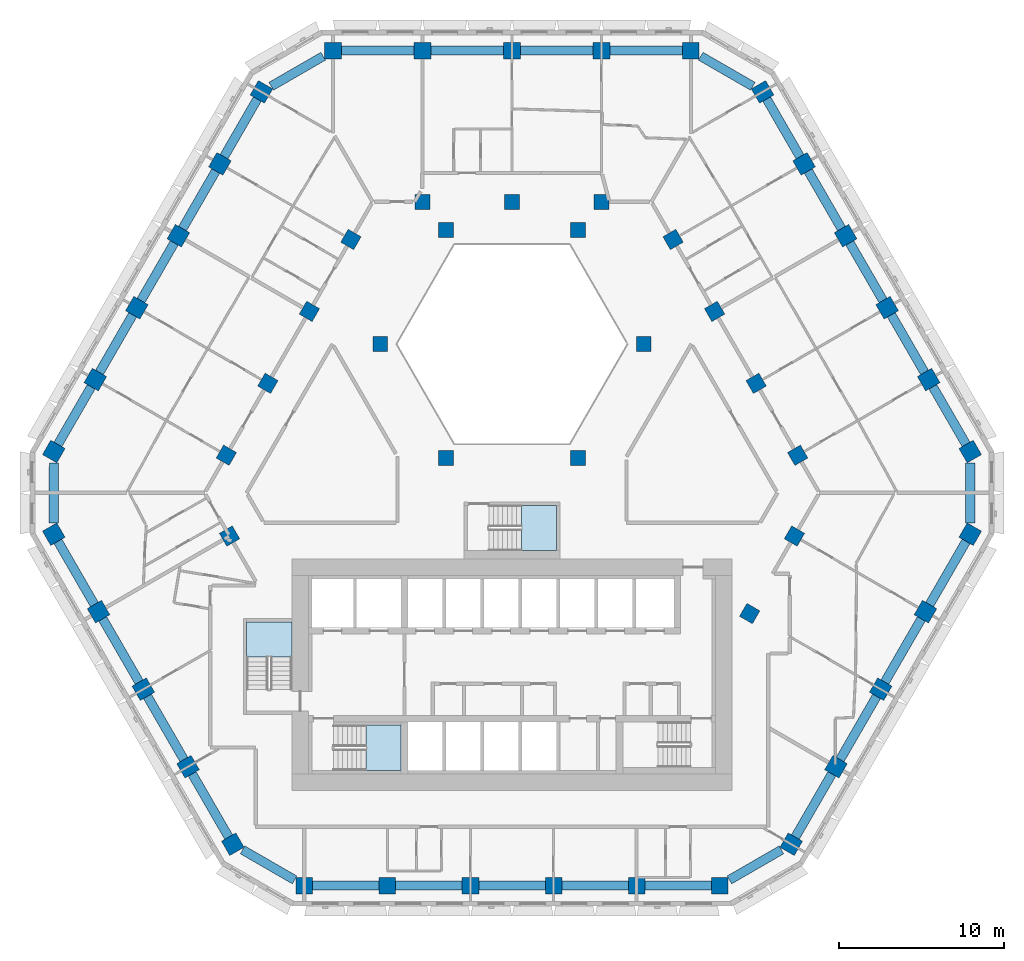
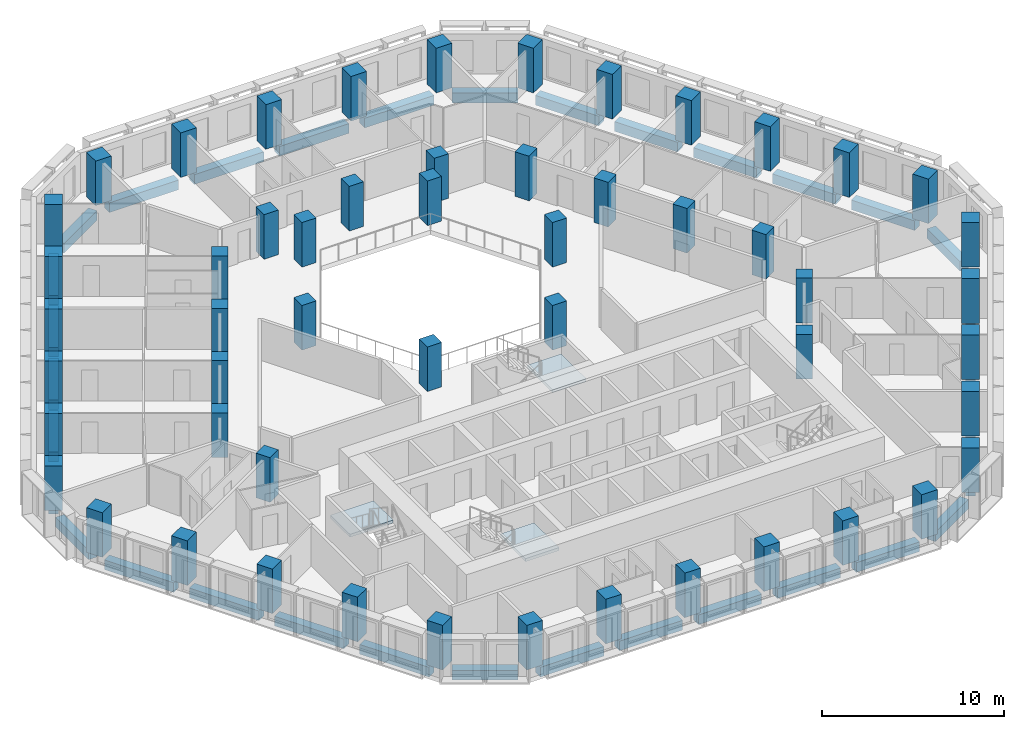
# One storey, part 1 of 18: 53 columns, 33 beams, 3 slabs, 3 elements without a shape of their own.
"""IFC4 building model written with IfcOpenShell, lengths in metres."""

from ifc_helpers import new_model, si_unit, direction, frame, origin, origin_2d, place, context, subcontext, project, spatial, polyline, rectangle, outline, extrude, material, layer, layer_set, material_profile, profile_set, type_object, element, aggregate, save


model = new_model("IFC4")

# Units and contexts
model_context = context("Model", 3, precision=1e-05, world=origin(), true_north=direction((0.0, 1.0)))
body_context = subcontext(model_context, "Body", "Model", "MODEL_VIEW")
ifc_project = project(units=[si_unit("LENGTHUNIT", "METRE"), si_unit("AREAUNIT", "SQUARE_METRE"), si_unit("VOLUMEUNIT", "CUBIC_METRE"), si_unit("PLANEANGLEUNIT", "RADIAN"), si_unit("MASSUNIT", "GRAM", prefix="KILO")], contexts=[model_context])

# Site, building, storey
site_placement = place(None, origin())
site = spatial("IfcSite", under=ifc_project, at=site_placement, CompositionType="ELEMENT")
building_placement = place(site_placement, origin())
building = spatial("IfcBuilding", under=site, at=building_placement, Name="Beryl Residences", CompositionType="ELEMENT")
storey_placement = place(building_placement, frame((0.0, 0.0, 93.0)))
storey = spatial("IfcBuildingStorey", under=building, at=storey_placement, Name="L28", CompositionType="ELEMENT", Elevation=93.0)

# Columns
ifc_material_1 = material(Name="Concrete C70/85", Category="concrete")
ifc_material_profile_1 = material_profile(ifc_material_1, rectangle(XDim=1.0, YDim=1.0, at=origin_2d()))
ifc_profile_set_1 = profile_set([ifc_material_profile_1], Name="Concrete C70/85")
column_type_1 = type_object("IfcColumnType", Name="C2 tube column 1000 x 1000 C70/85", PredefinedType="COLUMN", material=ifc_profile_set_1)
for number, where, z_axis, x_axis, name in (
    (1, (10.824951171875, 25.75, 0.0), (0.0, 0.0, 1.0), (-1.0, 0.0, 0.0), "C2-N1 L28"),
    (2, (5.412109375, 25.75, 0.0), (0.0, 0.0, 1.0), (-1.0, 0.0, 0.0), "C2-N2 L28"),
    (3, (-0.0009765625, 25.75, 0.0), (0.0, 0.0, 1.0), (-1.0, 0.0, 0.0), "C2-N3 L28"),
    (4, (-5.4140625, 25.75, 0.0), (0.0, 0.0, 1.0), (-1.0, 0.0, 0.0), "C2-N4 L28"),
    (5, (-10.826904296875, 25.75, 0.0), (0.0, 0.0, 1.0), (-1.0, 0.0, 0.0), "C2-N5 L28"),
    (6, (-15.155029296875, 23.2509765625, 0.0), (0.0, 0.0, 1.0), (-0.5, -0.866025403784, 0.0), "C2-NW1 L28"),
    (7, (-17.6669921875, 18.89990234375, 0.0), (0.0, 0.0, 1.0), (-0.5, -0.866025403784, 0.0), "C2-NW2 L28"),
    (8, (-20.177978515625, 14.550048828125, 0.0), (0.0, 0.0, 1.0), (-0.5, -0.866025403784, 0.0), "C2-NW3 L28"),
    (9, (-22.68994140625, 10.199951171875, 0.0), (0.0, 0.0, 1.0), (-0.5, -0.866025403784, 0.0), "C2-NW4 L28"),
    (10, (-25.201904296875, 5.85009765625, 0.0), (0.0, 0.0, 1.0), (-0.5, -0.866025403784, 0.0), "C2-NW5 L28"),
    (11, (-27.712890625, 1.5, 0.0), (0.0, 0.0, 1.0), (-0.5, -0.866025403784, 0.0), "C2-NW6 L28"),
    (12, (-27.714111328125, -3.4990234375, 0.0), (0.0, 0.0, 1.0), (0.5, -0.866025403784, 0.0), "C2-SW1 L28"),
    (13, (-25.007080078125, -8.18701171875, 0.0), (0.0, 0.0, 1.0), (0.5, -0.866025403784, 0.0), "C2-SW2 L28"),
    (14, (-22.300048828125, -12.875, 0.0), (0.0, 0.0, 1.0), (0.5, -0.866025403784, 0.0), "C2-SW3 L28"),
    (15, (-19.593994140625, -17.56298828125, 0.0), (0.0, 0.0, 1.0), (0.5, -0.866025403784, 0.0), "C2-SW4 L28"),
    (16, (-16.886962890625, -22.2509765625, 0.0), (0.0, 0.0, 1.0), (0.5, -0.866025403784, 0.0), "C2-SW5 L28"),
    (17, (-12.556884765625, -24.75, 0.0), (0.0, 0.0, 1.0), (1.0, 0.0, 0.0), "C2-S1 L28"),
    (18, (-7.533935546875, -24.75, 0.0), (0.0, 0.0, 1.0), (1.0, 0.0, 0.0), "C2-S2 L28"),
    (19, (-2.510986328125, -24.75, 0.0), (0.0, 0.0, 1.0), (1.0, 0.0, 0.0), "C2-S3 L28"),
    (20, (2.511962890625, -24.75, 0.0), (0.0, 0.0, 1.0), (1.0, 0.0, 0.0), "C2-S4 L28"),
    (21, (7.534912109375, -24.75, 0.0), (0.0, 0.0, 1.0), (1.0, 0.0, 0.0), "C2-S5 L28"),
    (22, (12.55810546875, -24.75, 0.0), (0.0, 0.0, 1.0), (1.0, 0.0, 0.0), "C2-S6 L28"),
    (23, (16.886962890625, -22.2509765625, 0.0), (0.0, 0.0, 1.0), (0.5, 0.866025403784, 0.0), "C2-SE1 L28"),
    (24, (19.593994140625, -17.56298828125, 0.0), (0.0, 0.0, 1.0), (0.5, 0.866025403784, 0.0), "C2-SE2 L28"),
    (25, (22.300048828125, -12.875, 0.0), (0.0, 0.0, 1.0), (0.5, 0.866025403784, 0.0), "C2-SE3 L28"),
    (26, (25.007080078125, -8.18701171875, 0.0), (0.0, 0.0, 1.0), (0.5, 0.866025403784, 0.0), "C2-SE4 L28"),
    (27, (27.714111328125, -3.4990234375, 0.0), (0.0, 0.0, 1.0), (0.5, 0.866025403784, 0.0), "C2-SE5 L28"),
    (28, (27.714111328125, 1.4990234375, 0.0), (0.0, 0.0, 1.0), (-0.5, 0.866025403784, 0.0), "C2-NE1 L28"),
    (29, (25.201904296875, 5.85009765625, 0.0), (0.0, 0.0, 1.0), (-0.5, 0.866025403784, 0.0), "C2-NE2 L28"),
    (30, (22.68994140625, 10.199951171875, 0.0), (0.0, 0.0, 1.0), (-0.5, 0.866025403784, 0.0), "C2-NE3 L28"),
    (31, (20.178955078125, 14.550048828125, 0.0), (0.0, 0.0, 1.0), (-0.5, 0.866025403784, 0.0), "C2-NE4 L28"),
    (32, (17.6669921875, 18.89990234375, 0.0), (0.0, 0.0, 1.0), (-0.5, 0.866025403784, 0.0), "C2-NE5 L28"),
    (33, (15.156005859375, 23.25, 0.0), (0.0, 0.0, 1.0), (-0.5, 0.866025403784, 0.0), "C2-NE6 L28"),
):
    element("IfcColumn", number, at=place(storey_placement, frame(where, z_axis=z_axis, x_axis=x_axis)), inside=storey, type_object=column_type_1, Name=name, PredefinedType="COLUMN", context=body_context, shape_type="SweptSolid", body=[
        extrude(rectangle(XDim=1.0, YDim=1.0, at=origin_2d()), origin(), (0.0, 0.0, 1.0), 3.0),
    ])
ifc_material_2 = material(Name="Concrete C70/85", Category="concrete")
ifc_material_profile_2 = material_profile(ifc_material_2, rectangle(XDim=0.89990234375, YDim=0.89990234375, at=origin_2d()))
ifc_profile_set_2 = profile_set([ifc_material_profile_2], Name="Concrete C70/85")
column_type_2 = type_object("IfcColumnType", Name="IC2 interior column 900 x 900 C70/85", PredefinedType="COLUMN", material=ifc_profile_set_2)
for number, where, z_axis, x_axis, name in (
    (34, (-17.0830078125, -3.612060546875, 0.0), (0.0, 0.0, 1.0), (0.5, -0.866025403784, 0.0), "IC2-M01 L28"),
    (35, (14.3759765625, -8.300048828125, 0.0), (0.0, 0.0, 1.0), (0.5, 0.866025403784, 0.0), "IC2-M02 L28"),
    (36, (17.0830078125, -3.612060546875, 0.0), (0.0, 0.0, 1.0), (0.5, 0.866025403784, 0.0), "IC2-M03 L28"),
    (37, (17.278076171875, 1.27392578125, 0.0), (0.0, 0.0, 1.0), (-0.5, 0.866025403784, 0.0), "IC2-M04 L28"),
    (38, (3.98388671875, 1.10009765625, 0.0), (0.0, 0.0, 1.0), (1.0, 0.0, 0.0), "IC2-A05 L28"),
    (39, (14.76611328125, 5.625, 0.0), (0.0, 0.0, 1.0), (-0.5, 0.866025403784, 0.0), "IC2-M06 L28"),
    (40, (12.2548828125, 9.97509765625, 0.0), (0.0, 0.0, 1.0), (-0.5, 0.866025403784, 0.0), "IC2-M07 L28"),
    (41, (7.967041015625, 8.0, 0.0), (0.0, 0.0, 1.0), (1.0, 0.0, 0.0), "IC2-A08 L28"),
    (42, (9.742919921875, 14.324951171875, 0.0), (0.0, 0.0, 1.0), (-0.5, 0.866025403784, 0.0), "IC2-M09 L28"),
    (43, (5.412109375, 16.60009765625, 0.0), (0.0, 0.0, 1.0), (-1.0, 0.0, 0.0), "IC2-M10 L28"),
    (44, (3.98388671875, 14.89990234375, 0.0), (0.0, 0.0, 1.0), (1.0, 0.0, 0.0), "IC2-A11 L28"),
    (45, (-0.0009765625, 16.60009765625, 0.0), (0.0, 0.0, 1.0), (-1.0, 0.0, 0.0), "IC2-M12 L28"),
    (46, (-3.98388671875, 14.89990234375, 0.0), (0.0, 0.0, 1.0), (1.0, 0.0, 0.0), "IC2-A13 L28"),
    (47, (-5.4140625, 16.60009765625, 0.0), (0.0, 0.0, 1.0), (-1.0, 0.0, 0.0), "IC2-M14 L28"),
    (48, (-9.742919921875, 14.324951171875, 0.0), (0.0, 0.0, 1.0), (-0.5, -0.866025403784, 0.0), "IC2-M15 L28"),
    (49, (-7.967041015625, 8.0, 0.0), (0.0, 0.0, 1.0), (1.0, 0.0, 0.0), "IC2-A16 L28"),
    (50, (-12.25390625, 9.97509765625, 0.0), (0.0, 0.0, 1.0), (-0.5, -0.866025403784, 0.0), "IC2-M17 L28"),
    (51, (-14.76611328125, 5.625, 0.0), (0.0, 0.0, 1.0), (-0.5, -0.866025403784, 0.0), "IC2-M18 L28"),
    (52, (-3.98388671875, 1.10009765625, 0.0), (0.0, 0.0, 1.0), (1.0, 0.0, 0.0), "IC2-A19 L28"),
    (53, (-17.277099609375, 1.27490234375, 0.0), (0.0, 0.0, 1.0), (-0.5, -0.866025403784, 0.0), "IC2-M20 L28"),
):
    element("IfcColumn", number, at=place(storey_placement, frame(where, z_axis=z_axis, x_axis=x_axis)), inside=storey, type_object=column_type_2, Name=name, PredefinedType="COLUMN", context=body_context, shape_type="SweptSolid", body=[
        extrude(rectangle(XDim=0.89990234375, YDim=0.89990234375, at=origin_2d()), origin(), (0.0, 0.0, 1.0), 3.0),
    ])

# Beams
ifc_material_3 = material(Name="Concrete C70/85", Category="concrete")
ifc_material_profile_3 = material_profile(ifc_material_3, rectangle(XDim=0.550048828125, YDim=0.64990234375, at=origin_2d()))
ifc_profile_set_3 = profile_set([ifc_material_profile_3], Name="Concrete C70/85")
beam_type = type_object("IfcBeamType", Name="SB2 spandrel beam 550 x 650 C70/85", PredefinedType="SPANDREL", material=ifc_profile_set_3)
beam_1_placement = place(storey_placement, frame((10.324951171875, 25.75, -0.625), z_axis=(-1.0, 0.0, 0.0), x_axis=(0.0, -1.0, 0.0)))
element("IfcBeam", 54, at=beam_1_placement, inside=storey, type_object=beam_type, Name="SB2 L28 N-0", PredefinedType="SPANDREL", context=body_context, shape_type="SweptSolid", body=[
    extrude(rectangle(XDim=0.550048828125, YDim=0.64990234375, at=origin_2d()), origin(), (0.0, 0.0, 1.0), 4.412841796875),
])
for number, where, z_axis, x_axis, name in (
    (55, (4.912109375, 25.75, -0.625), (-1.0, 0.0, 0.0), (0.0, -1.0, 0.0), "SB2 L28 N-1"),
    (56, (-0.5009765625, 25.75, -0.625), (-1.0, 0.0, 0.0), (0.0, -1.0, 0.0), "SB2 L28 N-2"),
):
    element("IfcBeam", number, at=place(storey_placement, frame(where, z_axis=z_axis, x_axis=x_axis)), inside=storey, type_object=beam_type, Name=name, PredefinedType="SPANDREL", context=body_context, shape_type="SweptSolid", body=[
        extrude(rectangle(XDim=0.550048828125, YDim=0.64990234375, at=origin_2d()), origin(), (0.0, 0.0, 1.0), 4.4130859375),
    ])
beam_2_placement = place(storey_placement, frame((-5.9140625, 25.75, -0.625), z_axis=(-1.0, 0.0, 0.0), x_axis=(0.0, -1.0, 0.0)))
element("IfcBeam", 57, at=beam_2_placement, inside=storey, type_object=beam_type, Name="SB2 L28 N-3", PredefinedType="SPANDREL", context=body_context, shape_type="SweptSolid", body=[
    extrude(rectangle(XDim=0.550048828125, YDim=0.64990234375, at=origin_2d()), origin(), (0.0, 0.0, 1.0), 4.412841796875),
])
beam_3_placement = place(storey_placement, frame((-11.41796875, 25.408935546875, -0.625), z_axis=(-0.865959503272, -0.500114125668, 0.0), x_axis=(0.500114125668, -0.865959503272, 0.0)))
element("IfcBeam", 58, at=beam_3_placement, inside=storey, type_object=beam_type, Name="SB2 L28 N-4", PredefinedType="SPANDREL", context=body_context, shape_type="SweptSolid", body=[
    extrude(rectangle(XDim=0.550048828125, YDim=0.64990234375, at=origin_2d()), origin(), (0.0, 0.0, 1.0), 3.633056640625),
])
beam_4_placement = place(storey_placement, frame((-15.405029296875, 22.818115234375, -0.625), z_axis=(-0.49996928203, -0.866043138087, 0.0), x_axis=(0.866043138087, -0.49996928203, 0.0)))
element("IfcBeam", 59, at=beam_4_placement, inside=storey, type_object=beam_type, Name="SB2 L28 NW-0", PredefinedType="SPANDREL", context=body_context, shape_type="SweptSolid", body=[
    extrude(rectangle(XDim=0.550048828125, YDim=0.64990234375, at=origin_2d()), origin(), (0.0, 0.0, 1.0), 4.024169921875),
])
beam_5_placement = place(storey_placement, frame((-17.9169921875, 18.467041015625, -0.625), z_axis=(-0.499892318183, -0.866087564985, 0.0), x_axis=(0.866087564985, -0.499892318183, 0.0)))
element("IfcBeam", 60, at=beam_5_placement, inside=storey, type_object=beam_type, Name="SB2 L28 NW-1", PredefinedType="SPANDREL", context=body_context, shape_type="SweptSolid", body=[
    extrude(rectangle(XDim=0.550048828125, YDim=0.64990234375, at=origin_2d()), origin(), (0.0, 0.0, 1.0), 4.02294921875),
])
beam_6_placement = place(storey_placement, frame((-20.427978515625, 14.116943359375, -0.625), z_axis=(-0.500100656611, -0.865967281863, 0.0), x_axis=(0.865967281863, -0.500100656611, 0.0)))
element("IfcBeam", 61, at=beam_6_placement, inside=storey, type_object=beam_type, Name="SB2 L28 NW-2", PredefinedType="SPANDREL", context=body_context, shape_type="SweptSolid", body=[
    extrude(rectangle(XDim=0.550048828125, YDim=0.64990234375, at=origin_2d()), origin(), (0.0, 0.0, 1.0), 4.023193359375),
])
beam_7_placement = place(storey_placement, frame((-22.93994140625, 9.76708984375, -0.625), z_axis=(-0.500074377092, -0.865982457891, 0.0), x_axis=(0.865982457891, -0.500074377092, 0.0)))
element("IfcBeam", 62, at=beam_7_placement, inside=storey, type_object=beam_type, Name="SB2 L28 NW-3", PredefinedType="SPANDREL", context=body_context, shape_type="SweptSolid", body=[
    extrude(rectangle(XDim=0.550048828125, YDim=0.64990234375, at=origin_2d()), origin(), (0.0, 0.0, 1.0), 4.0234375),
])
beam_8_placement = place(storey_placement, frame((-25.451904296875, 5.4169921875, -0.625), z_axis=(-0.499918594511, -0.866072398164, 0.0), x_axis=(0.866072398164, -0.499918594511, 0.0)))
element("IfcBeam", 63, at=beam_8_placement, inside=storey, type_object=beam_type, Name="SB2 L28 NW-4", PredefinedType="SPANDREL", context=body_context, shape_type="SweptSolid", body=[
    extrude(rectangle(XDim=0.550048828125, YDim=0.64990234375, at=origin_2d()), origin(), (0.0, 0.0, 1.0), 4.022705078125),
])
beam_9_placement = place(storey_placement, frame((-27.712890625, 0.81689453125, -0.625), z_axis=(-0.000336021486, -0.999999943545, 0.0), x_axis=(0.999999943545, -0.000336021486, 0.0)))
element("IfcBeam", 64, at=beam_9_placement, inside=storey, type_object=beam_type, Name="SB2 L28 NW-5", PredefinedType="SPANDREL", context=body_context, shape_type="SweptSolid", body=[
    extrude(rectangle(XDim=0.550048828125, YDim=0.64990234375, at=origin_2d()), origin(), (0.0, 0.0, 1.0), 3.6328125),
])
beam_10_placement = place(storey_placement, frame((-27.464111328125, -3.931884765625, -0.625), z_axis=(0.50006561292, -0.865987518834, 0.0), x_axis=(0.865987518834, 0.50006561292, 0.0)))
element("IfcBeam", 65, at=beam_10_placement, inside=storey, type_object=beam_type, Name="SB2 L28 SW-0", PredefinedType="SPANDREL", context=body_context, shape_type="SweptSolid", body=[
    extrude(rectangle(XDim=0.550048828125, YDim=0.64990234375, at=origin_2d()), origin(), (0.0, 0.0, 1.0), 4.41357421875),
])
beam_11_placement = place(storey_placement, frame((-24.757080078125, -8.6201171875, -0.625), z_axis=(0.500089568931, -0.865973684962, 0.0), x_axis=(0.865973684962, 0.500089568931, 0.0)))
element("IfcBeam", 66, at=beam_11_placement, inside=storey, type_object=beam_type, Name="SB2 L28 SW-1", PredefinedType="SPANDREL", context=body_context, shape_type="SweptSolid", body=[
    extrude(rectangle(XDim=0.550048828125, YDim=0.64990234375, at=origin_2d()), origin(), (0.0, 0.0, 1.0), 4.413330078125),
])
beam_12_placement = place(storey_placement, frame((-22.050048828125, -13.30810546875, -0.625), z_axis=(0.49992360228, -0.866069507536, 0.0), x_axis=(0.866069507536, 0.49992360228, 0.0)))
element("IfcBeam", 67, at=beam_12_placement, inside=storey, type_object=beam_type, Name="SB2 L28 SW-2", PredefinedType="SPANDREL", context=body_context, shape_type="SweptSolid", body=[
    extrude(rectangle(XDim=0.550048828125, YDim=0.64990234375, at=origin_2d()), origin(), (0.0, 0.0, 1.0), 4.412841796875),
])
beam_13_placement = place(storey_placement, frame((-19.343994140625, -17.99609375, -0.625), z_axis=(0.50006561292, -0.865987518834, 0.0), x_axis=(0.865987518834, 0.50006561292, 0.0)))
element("IfcBeam", 68, at=beam_13_placement, inside=storey, type_object=beam_type, Name="SB2 L28 SW-3", PredefinedType="SPANDREL", context=body_context, shape_type="SweptSolid", body=[
    extrude(rectangle(XDim=0.550048828125, YDim=0.64990234375, at=origin_2d()), origin(), (0.0, 0.0, 1.0), 4.41357421875),
])
beam_14_placement = place(storey_placement, frame((-16.2958984375, -22.592041015625, -0.625), z_axis=(0.866093873939, -0.499881387456, 0.0), x_axis=(0.499881387456, 0.866093873939, 0.0)))
element("IfcBeam", 69, at=beam_14_placement, inside=storey, type_object=beam_type, Name="SB2 L28 SW-4", PredefinedType="SPANDREL", context=body_context, shape_type="SweptSolid", body=[
    extrude(rectangle(XDim=0.550048828125, YDim=0.64990234375, at=origin_2d()), origin(), (0.0, 0.0, 1.0), 3.634765625),
])
for number, where, z_axis, x_axis, name in (
    (70, (-12.056884765625, -24.75, -0.625), (1.0, 0.0, 0.0), (0.0, 1.0, 0.0), "SB2 L28 S-0"),
    (71, (-7.033935546875, -24.75, -0.625), (1.0, 0.0, 0.0), (0.0, 1.0, 0.0), "SB2 L28 S-1"),
    (72, (-2.010986328125, -24.75, -0.625), (1.0, 0.0, 0.0), (0.0, 1.0, 0.0), "SB2 L28 S-2"),
    (73, (3.011962890625, -24.75, -0.625), (1.0, 0.0, 0.0), (0.0, 1.0, 0.0), "SB2 L28 S-3"),
):
    element("IfcBeam", number, at=place(storey_placement, frame(where, z_axis=z_axis, x_axis=x_axis)), inside=storey, type_object=beam_type, Name=name, PredefinedType="SPANDREL", context=body_context, shape_type="SweptSolid", body=[
        extrude(rectangle(XDim=0.550048828125, YDim=0.64990234375, at=origin_2d()), origin(), (0.0, 0.0, 1.0), 4.02294921875),
    ])
beam_15_placement = place(storey_placement, frame((8.034912109375, -24.75, -0.625), z_axis=(1.0, 0.0, 0.0), x_axis=(0.0, 1.0, 0.0)))
element("IfcBeam", 74, at=beam_15_placement, inside=storey, type_object=beam_type, Name="SB2 L28 S-4", PredefinedType="SPANDREL", context=body_context, shape_type="SweptSolid", body=[
    extrude(rectangle(XDim=0.550048828125, YDim=0.64990234375, at=origin_2d()), origin(), (0.0, 0.0, 1.0), 4.023193359375),
])
beam_16_placement = place(storey_placement, frame((13.14892578125, -24.408935546875, -0.625), z_axis=(0.866026712061, 0.499997733992, 0.0), x_axis=(-0.499997733992, 0.866026712061, 0.0)))
element("IfcBeam", 75, at=beam_16_placement, inside=storey, type_object=beam_type, Name="SB2 L28 S-5", PredefinedType="SPANDREL", context=body_context, shape_type="SweptSolid", body=[
    extrude(rectangle(XDim=0.550048828125, YDim=0.64990234375, at=origin_2d()), origin(), (0.0, 0.0, 1.0), 3.6337890625),
])
beam_17_placement = place(storey_placement, frame((17.136962890625, -21.818115234375, -0.625), z_axis=(0.50006561292, 0.865987518834, 0.0), x_axis=(-0.865987518834, 0.50006561292, 0.0)))
element("IfcBeam", 76, at=beam_17_placement, inside=storey, type_object=beam_type, Name="SB2 L28 SE-0", PredefinedType="SPANDREL", context=body_context, shape_type="SweptSolid", body=[
    extrude(rectangle(XDim=0.550048828125, YDim=0.64990234375, at=origin_2d()), origin(), (0.0, 0.0, 1.0), 4.41357421875),
])
beam_18_placement = place(storey_placement, frame((19.843994140625, -17.1298828125, -0.625), z_axis=(0.49992360228, 0.866069507536, 0.0), x_axis=(-0.866069507536, 0.49992360228, 0.0)))
element("IfcBeam", 77, at=beam_18_placement, inside=storey, type_object=beam_type, Name="SB2 L28 SE-1", PredefinedType="SPANDREL", context=body_context, shape_type="SweptSolid", body=[
    extrude(rectangle(XDim=0.550048828125, YDim=0.64990234375, at=origin_2d()), origin(), (0.0, 0.0, 1.0), 4.412841796875),
])
beam_19_placement = place(storey_placement, frame((22.550048828125, -12.44189453125, -0.625), z_axis=(0.500089568931, 0.865973684962, 0.0), x_axis=(-0.865973684962, 0.500089568931, 0.0)))
element("IfcBeam", 78, at=beam_19_placement, inside=storey, type_object=beam_type, Name="SB2 L28 SE-2", PredefinedType="SPANDREL", context=body_context, shape_type="SweptSolid", body=[
    extrude(rectangle(XDim=0.550048828125, YDim=0.64990234375, at=origin_2d()), origin(), (0.0, 0.0, 1.0), 4.413330078125),
])
beam_20_placement = place(storey_placement, frame((25.257080078125, -7.75390625, -0.625), z_axis=(0.50006561292, 0.865987518834, 0.0), x_axis=(-0.865987518834, 0.50006561292, 0.0)))
element("IfcBeam", 79, at=beam_20_placement, inside=storey, type_object=beam_type, Name="SB2 L28 SE-3", PredefinedType="SPANDREL", context=body_context, shape_type="SweptSolid", body=[
    extrude(rectangle(XDim=0.550048828125, YDim=0.64990234375, at=origin_2d()), origin(), (0.0, 0.0, 1.0), 4.41357421875),
])
beam_21_placement = place(storey_placement, frame((27.714111328125, -2.81591796875, -0.625), z_axis=(0.0, 1.0, 0.0), x_axis=(-1.0, 0.0, 0.0)))
element("IfcBeam", 80, at=beam_21_placement, inside=storey, type_object=beam_type, Name="SB2 L28 SE-4", PredefinedType="SPANDREL", context=body_context, shape_type="SweptSolid", body=[
    extrude(rectangle(XDim=0.550048828125, YDim=0.64990234375, at=origin_2d()), origin(), (0.0, 0.0, 1.0), 3.6318359375),
])
beam_22_placement = place(storey_placement, frame((27.464111328125, 1.931884765625, -0.625), z_axis=(-0.500014783214, 0.866016868524, 0.0), x_axis=(-0.866016868524, -0.500014783214, 0.0)))
element("IfcBeam", 81, at=beam_22_placement, inside=storey, type_object=beam_type, Name="SB2 L28 NE-0", PredefinedType="SPANDREL", context=body_context, shape_type="SweptSolid", body=[
    extrude(rectangle(XDim=0.550048828125, YDim=0.64990234375, at=origin_2d()), origin(), (0.0, 0.0, 1.0), 4.0244140625),
])
beam_23_placement = place(storey_placement, frame((24.951904296875, 6.282958984375, -0.625), z_axis=(-0.500074377092, 0.865982457891, 0.0), x_axis=(-0.865982457891, -0.500074377092, 0.0)))
element("IfcBeam", 82, at=beam_23_placement, inside=storey, type_object=beam_type, Name="SB2 L28 NE-1", PredefinedType="SPANDREL", context=body_context, shape_type="SweptSolid", body=[
    extrude(rectangle(XDim=0.550048828125, YDim=0.64990234375, at=origin_2d()), origin(), (0.0, 0.0, 1.0), 4.0234375),
])
beam_24_placement = place(storey_placement, frame((22.43994140625, 10.633056640625, -0.625), z_axis=(-0.499918594511, 0.866072398164, 0.0), x_axis=(-0.866072398164, -0.499918594511, 0.0)))
element("IfcBeam", 83, at=beam_24_placement, inside=storey, type_object=beam_type, Name="SB2 L28 NE-2", PredefinedType="SPANDREL", context=body_context, shape_type="SweptSolid", body=[
    extrude(rectangle(XDim=0.550048828125, YDim=0.64990234375, at=origin_2d()), origin(), (0.0, 0.0, 1.0), 4.022705078125),
])
beam_25_placement = place(storey_placement, frame((19.928955078125, 14.98291015625, -0.625), z_axis=(-0.500074377092, 0.865982457891, 0.0), x_axis=(-0.865982457891, -0.500074377092, 0.0)))
element("IfcBeam", 84, at=beam_25_placement, inside=storey, type_object=beam_type, Name="SB2 L28 NE-3", PredefinedType="SPANDREL", context=body_context, shape_type="SweptSolid", body=[
    extrude(rectangle(XDim=0.550048828125, YDim=0.64990234375, at=origin_2d()), origin(), (0.0, 0.0, 1.0), 4.0234375),
])
beam_26_placement = place(storey_placement, frame((17.4169921875, 19.3330078125, -0.625), z_axis=(-0.499918594511, 0.866072398164, 0.0), x_axis=(-0.866072398164, -0.499918594511, 0.0)))
element("IfcBeam", 85, at=beam_26_placement, inside=storey, type_object=beam_type, Name="SB2 L28 NE-4", PredefinedType="SPANDREL", context=body_context, shape_type="SweptSolid", body=[
    extrude(rectangle(XDim=0.550048828125, YDim=0.64990234375, at=origin_2d()), origin(), (0.0, 0.0, 1.0), 4.022705078125),
])
beam_27_placement = place(storey_placement, frame((14.56494140625, 23.591064453125, -0.625), z_axis=(-0.866044702259, 0.499966572571, 0.0), x_axis=(-0.499966572571, -0.866044702259, 0.0)))
element("IfcBeam", 86, at=beam_27_placement, inside=storey, type_object=beam_type, Name="SB2 L28 NE-5", PredefinedType="SPANDREL", context=body_context, shape_type="SweptSolid", body=[
    extrude(rectangle(XDim=0.550048828125, YDim=0.64990234375, at=origin_2d()), origin(), (0.0, 0.0, 1.0), 3.635986328125),
])

# Stair, slab
ifc_material_4 = material(Name="Concrete C40/50", Category="concrete")
stair_type = type_object("IfcStairType", Name="ST1 protected exit stair, half-turn, 1300 mm flights", PredefinedType="HALF_TURN_STAIR", material=ifc_material_4)
stair_1_placement = place(storey_placement, origin())
stair_1 = element("IfcStair", 87, at=stair_1_placement, inside=storey, type_object=stair_type, Name="L28 PROTECTED EXIT STAIR ST-1", PredefinedType="HALF_TURN_STAIR")
ifc_material_5 = material(Name="Concrete C40/50", Category="concrete")
ifc_layer = layer(ifc_material_5, 0.199951171875)
ifc_layer_set = layer_set([ifc_layer], Name="SLD1 stair landing 200 mm")
slab_type = type_object("IfcSlabType", Name="SLD1 stair landing 200 mm", PredefinedType="LANDING", material=ifc_layer_set)
slab_1_placement = place(storey_placement, frame((0.0, 0.0, 1.300048828125)))
slab_1 = element("IfcSlab", 88, at=slab_1_placement, type_object=slab_type, Name="ST-1 landing 1", PredefinedType="LANDING", context=body_context, shape_type="SweptSolid", body=[
    extrude(outline(polyline([(-8.840087890625, -17.800048828125), (-6.699951171875, -17.800048828125), (-6.699951171875, -15.050048828125), (-8.840087890625, -15.050048828125), (-8.840087890625, -17.800048828125)])), origin(), (0.0, 0.0, 1.0), 0.199951171875),
])
aggregate(stair_1, [slab_1])

stair_2_placement = place(storey_placement, origin())
stair_2 = element("IfcStair", 89, at=stair_2_placement, inside=storey, type_object=stair_type, Name="L28 PROTECTED EXIT STAIR ST-2", PredefinedType="HALF_TURN_STAIR")
slab_2_placement = place(storey_placement, frame((0.0, 0.0, 1.300048828125)))
slab_2 = element("IfcSlab", 90, at=slab_2_placement, type_object=slab_type, Name="ST-2 landing 1", PredefinedType="LANDING", context=body_context, shape_type="SweptSolid", body=[
    extrude(outline(polyline([(-13.300048828125, -10.93994140625), (-13.300048828125, -8.800048828125), (-16.050048828125, -8.800048828125), (-16.050048828125, -10.93994140625), (-13.300048828125, -10.93994140625)])), origin(), (0.0, 0.0, 1.0), 0.199951171875),
])
aggregate(stair_2, [slab_2])

stair_3_placement = place(storey_placement, origin())
stair_3 = element("IfcStair", 91, at=stair_3_placement, inside=storey, type_object=stair_type, Name="L28 PROTECTED EXIT STAIR ST-4", PredefinedType="HALF_TURN_STAIR")
slab_3_placement = place(storey_placement, frame((0.0, 0.0, 1.300048828125)))
slab_3 = element("IfcSlab", 92, at=slab_3_placement, type_object=slab_type, Name="ST-4 landing 1", PredefinedType="LANDING", context=body_context, shape_type="SweptSolid", body=[
    extrude(outline(polyline([(0.56005859375, -4.5), (2.699951171875, -4.5), (2.699951171875, -1.75), (0.56005859375, -1.75), (0.56005859375, -4.5)])), origin(), (0.0, 0.0, 1.0), 0.199951171875),
])
aggregate(stair_3, [slab_3])

save(model, "model.ifc")
